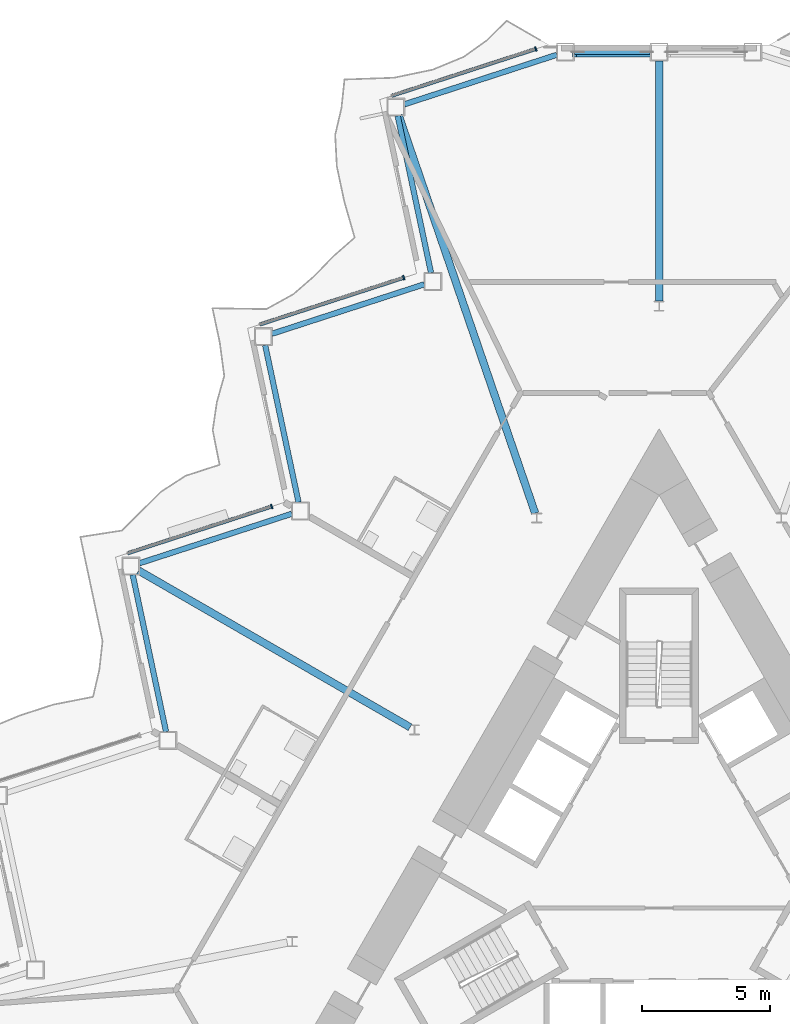
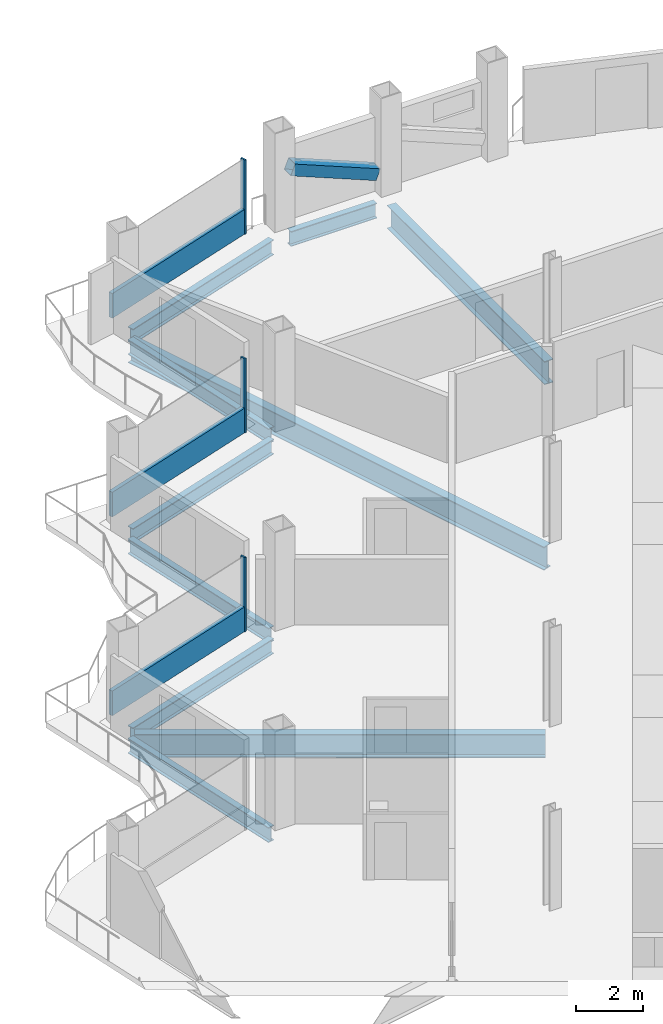
# One storey, part 8 of 24: 10 beams, 7 members, 3 elements without a shape of their own.
"""IFC4 building model written with IfcOpenShell, lengths in metres."""

from ifc_helpers import new_model, si_unit, direction, frame, origin, origin_2d, place, context, subcontext, project, spatial, rectangle, hollow_rectangle, i_section, extrude, material, layer, layer_set, material_profile, profile_set, type_object, element, aggregate, save


model = new_model("IFC4")

# Units and contexts
model_context = context("Model", 3, precision=1e-05, world=origin(), true_north=direction((0.0, 1.0)))
body_context = subcontext(model_context, "Body", "Model", "MODEL_VIEW")
ifc_project = project(units=[si_unit("LENGTHUNIT", "METRE"), si_unit("AREAUNIT", "SQUARE_METRE"), si_unit("VOLUMEUNIT", "CUBIC_METRE"), si_unit("PLANEANGLEUNIT", "RADIAN"), si_unit("MASSUNIT", "GRAM", prefix="KILO")], contexts=[model_context])

# Site, building, storey
site_placement = place(None, origin())
site = spatial("IfcSite", under=ifc_project, at=site_placement, CompositionType="ELEMENT")
building_placement = place(site_placement, origin())
building = spatial("IfcBuilding", under=site, at=building_placement, Name="Cormorant Prow Tower", CompositionType="ELEMENT")
storey_placement = place(building_placement, frame((0.0, 0.0, 238.199951171875)))
storey = spatial("IfcBuildingStorey", under=building, at=storey_placement, Name="L52", CompositionType="ELEMENT", Elevation=238.199951171875)

# Member
ifc_material_1 = material(Name="Structural steel ASTM A500 Gr C", Category="steel")
ifc_material_profile_1 = material_profile(ifc_material_1, hollow_rectangle(XDim=0.406494140625, YDim=0.406494140625, WallThickness=0.01171875, at=origin_2d()), Name="HSS16x16x1/2")
ifc_profile_set_1 = profile_set([ifc_material_profile_1], Name="Structural steel ASTM A500 Gr C")
member_type_1 = type_object("IfcMemberType", Name="Chamfer brace HSS16x16x1/2", PredefinedType="BRACE", material=ifc_profile_set_1)
member_1_placement = place(storey_placement, frame((-0.36572265625, 32.073486328125, 0.74951171875), z_axis=(-0.925591042089, 0.0, 0.37852506232), x_axis=(0.0, -1.0, 0.0)))
element("IfcMember", 1, at=member_1_placement, inside=storey, type_object=member_type_1, Name="Chamfer brace BR2 at N01 L52", PredefinedType="BRACE", context=body_context, shape_type="SweptSolid", body=[
    extrude(hollow_rectangle(XDim=0.406494140625, YDim=0.406494140625, WallThickness=0.01171875, at=origin_2d()), origin(), (0.0, 0.0, 1.0), 3.17529296875),
])

# Curtain wall, member
ifc_material_2 = material(Name="Aluminium 6063-T6", Category="aluminium")
ifc_layer = layer(ifc_material_2, 0.179931640625)
ifc_layer_set = layer_set([ifc_layer], Name="Aluminium 6063-T6")
curtain_wall_type = type_object("IfcCurtainWallType", Name="Hotel unitised curtain wall 180", PredefinedType="NOTDEFINED", material=ifc_layer_set)
curtain_wall_1_placement = place(storey_placement, origin())
curtain_wall_1 = element("IfcCurtainWall", 2, at=curtain_wall_1_placement, inside=storey, type_object=curtain_wall_type, Name="Hotel curtain wall WNW00", PredefinedType="NOTDEFINED")
ifc_material_3 = material(Name="Aluminium 6063-T6", Category="aluminium")
ifc_material_profile_2 = material_profile(ifc_material_3, rectangle(XDim=0.179931640625, YDim=0.06005859375, at=origin_2d()), Name="Hotel mullion 60x180")
ifc_profile_set_2 = profile_set([ifc_material_profile_2], Name="Aluminium 6063-T6")
member_type_2 = type_object("IfcMemberType", Name="Hotel mullion 60x180", PredefinedType="MULLION", material=ifc_profile_set_2)
member_2_placement = place(storey_placement, frame((-4.828857421875, 32.1923828125, 0.0), z_axis=(0.0, 0.0, 1.0), x_axis=(0.309016951383, -0.951056530264, 0.0)))
member_2 = element("IfcMember", 3, at=member_2_placement, type_object=member_type_2, Name="Hotel mullion WNW00", PredefinedType="MULLION", context=body_context, shape_type="SweptSolid", body=[
    extrude(rectangle(XDim=0.179931640625, YDim=0.06005859375, at=origin_2d()), origin(), (0.0, 0.0, 1.0), 2.700927734375),
])

curtain_wall_2_placement = place(storey_placement, origin())
curtain_wall_2 = element("IfcCurtainWall", 4, at=curtain_wall_2_placement, inside=storey, type_object=curtain_wall_type, Name="Hotel curtain wall WNW02", PredefinedType="NOTDEFINED")
member_3_placement = place(storey_placement, frame((-10.0009765625, 23.234375, 0.0), z_axis=(0.0, 0.0, 1.0), x_axis=(0.309017039126, -0.951056501755, 0.0)))
member_3 = element("IfcMember", 5, at=member_3_placement, type_object=member_type_2, Name="Hotel mullion WNW02", PredefinedType="MULLION", context=body_context, shape_type="SweptSolid", body=[
    extrude(rectangle(XDim=0.179931640625, YDim=0.06005859375, at=origin_2d()), origin(), (0.0, 0.0, 1.0), 2.700927734375),
])

curtain_wall_3_placement = place(storey_placement, origin())
curtain_wall_3 = element("IfcCurtainWall", 6, at=curtain_wall_3_placement, inside=storey, type_object=curtain_wall_type, Name="Hotel curtain wall WNW04", PredefinedType="NOTDEFINED")
member_4_placement = place(storey_placement, frame((-15.1728515625, 14.2763671875, 0.0), z_axis=(0.0, 0.0, 1.0), x_axis=(0.309017039126, -0.951056501755, 0.0)))
member_4 = element("IfcMember", 7, at=member_4_placement, type_object=member_type_2, Name="Hotel mullion WNW04", PredefinedType="MULLION", context=body_context, shape_type="SweptSolid", body=[
    extrude(rectangle(XDim=0.179931640625, YDim=0.06005859375, at=origin_2d()), origin(), (0.0, 0.0, 1.0), 2.700927734375),
])

# Member
ifc_material_4 = material(Name="Terracotta", Category="masonry")
ifc_material_profile_3 = material_profile(ifc_material_4, rectangle(XDim=0.139892578125, YDim=0.89990234375, at=origin_2d()), Name="Hotel terracotta spandrel rail 140x900")
ifc_profile_set_3 = profile_set([ifc_material_profile_3], Name="Terracotta")
member_type_3 = type_object("IfcMemberType", Name="Hotel terracotta spandrel rail 140x900", PredefinedType="USERDEFINED", material=ifc_profile_set_3)
member_5_placement = place(storey_placement, frame((-4.857421875, 32.18310546875, 0.449951171875), z_axis=(-0.951052928419, -0.309028036504, 0.0), x_axis=(0.309028036504, -0.951052928419, 0.0)))
member_5 = element("IfcMember", 8, at=member_5_placement, type_object=member_type_3, Name="Hotel spandrel rail WNW00", ObjectType="TRANSOM", PredefinedType="USERDEFINED", context=body_context, shape_type="SweptSolid", body=[
    extrude(rectangle(XDim=0.139892578125, YDim=0.89990234375, at=origin_2d()), origin(), (0.0, 0.0, 1.0), 5.8974609375),
])

aggregate(curtain_wall_1, [member_2, member_5])

member_6_placement = place(storey_placement, frame((-10.029296875, 23.22509765625, 0.449951171875), z_axis=(-0.951052928419, -0.309028036504, 0.0), x_axis=(0.309028036504, -0.951052928419, 0.0)))
member_6 = element("IfcMember", 9, at=member_6_placement, type_object=member_type_3, Name="Hotel spandrel rail WNW02", ObjectType="TRANSOM", PredefinedType="USERDEFINED", context=body_context, shape_type="SweptSolid", body=[
    extrude(rectangle(XDim=0.139892578125, YDim=0.89990234375, at=origin_2d()), origin(), (0.0, 0.0, 1.0), 5.8974609375),
])

aggregate(curtain_wall_2, [member_3, member_6])

member_7_placement = place(storey_placement, frame((-15.201171875, 14.26708984375, 0.449951171875), z_axis=(-0.951052928419, -0.309028036504, 0.0), x_axis=(0.309028036504, -0.951052928419, 0.0)))
member_7 = element("IfcMember", 10, at=member_7_placement, type_object=member_type_3, Name="Hotel spandrel rail WNW04", ObjectType="TRANSOM", PredefinedType="USERDEFINED", context=body_context, shape_type="SweptSolid", body=[
    extrude(rectangle(XDim=0.139892578125, YDim=0.89990234375, at=origin_2d()), origin(), (0.0, 0.0, 1.0), 5.8974609375),
])

aggregate(curtain_wall_3, [member_4, member_7])

# Beams
ifc_material_5 = material(Name="Structural steel ASTM A992 Gr 50", Category="steel")
ifc_material_profile_4 = material_profile(ifc_material_5, i_section(OverallWidth=0.29296875, OverallDepth=0.845703125, WebThickness=0.015380859375, FlangeThickness=0.0244140625, at=origin_2d()), Name="W33x141")
ifc_profile_set_4 = profile_set([ifc_material_profile_4], Name="Structural steel ASTM A992 Gr 50")
beam_type_1 = type_object("IfcBeamType", Name="Radial floor beam W33x141", PredefinedType="BEAM", material=ifc_profile_set_4)
beam_1_placement = place(storey_placement, frame((0.0, 22.320068359375, -0.77294921875), z_axis=(0.0, 1.0, 0.0), x_axis=(-1.0, 0.0, 0.0)))
element("IfcBeam", 11, at=beam_1_placement, inside=storey, type_object=beam_type_1, Name="Radial floor beam FB2 1 L52", PredefinedType="BEAM", context=body_context, shape_type="SweptSolid", body=[
    extrude(i_section(OverallWidth=0.29296875, OverallDepth=0.845703125, WebThickness=0.015380859375, FlangeThickness=0.0244140625, at=origin_2d()), origin(), (0.0, 0.0, 1.0), 9.4033203125),
])
beam_2_placement = place(storey_placement, frame((-4.85400390625, 14.013916015625, -0.77294921875), z_axis=(-0.324535507117, 0.945873514071, 0.0), x_axis=(-0.945873514071, -0.324535507117, 0.0)))
element("IfcBeam", 12, at=beam_2_placement, inside=storey, type_object=beam_type_1, Name="Radial floor beam FB2 2 L52", PredefinedType="BEAM", context=body_context, shape_type="SweptSolid", body=[
    extrude(i_section(OverallWidth=0.29296875, OverallDepth=0.845703125, WebThickness=0.015380859375, FlangeThickness=0.0244140625, at=origin_2d()), origin(), (0.0, 0.0, 1.0), 16.462158203125),
])
beam_3_placement = place(storey_placement, frame((-9.751220703125, 5.6298828125, -0.77294921875), z_axis=(-0.866021995826, 0.500005902711, 0.0), x_axis=(-0.500005902711, -0.866021995826, 0.0)))
element("IfcBeam", 13, at=beam_3_placement, inside=storey, type_object=beam_type_1, Name="Radial floor beam FB2 3 L52", PredefinedType="BEAM", context=body_context, shape_type="SweptSolid", body=[
    extrude(i_section(OverallWidth=0.29296875, OverallDepth=0.845703125, WebThickness=0.015380859375, FlangeThickness=0.0244140625, at=origin_2d()), origin(), (0.0, 0.0, 1.0), 12.277099609375),
])
ifc_material_6 = material(Name="Structural steel ASTM A992 Gr 50", Category="steel")
ifc_material_profile_5 = material_profile(ifc_material_6, i_section(OverallWidth=0.2138671875, OverallDepth=0.549072265625, WebThickness=0.0146484375, FlangeThickness=0.023681640625, at=origin_2d()), Name="W21x93")
ifc_profile_set_5 = profile_set([ifc_material_profile_5], Name="Structural steel ASTM A992 Gr 50")
beam_type_2 = type_object("IfcBeamType", Name="Spandrel beam W21x93", PredefinedType="SPANDREL", material=ifc_profile_set_5)
beam_4_placement = place(storey_placement, frame((-0.35009765625, 32.073486328125, -0.62451171875), z_axis=(-1.0, 0.0, 0.0), x_axis=(0.0, -1.0, 0.0)))
element("IfcBeam", 14, at=beam_4_placement, inside=storey, type_object=beam_type_2, Name="Spandrel beam SB2 N01-WNW00 L52", PredefinedType="SPANDREL", context=body_context, shape_type="SweptSolid", body=[
    extrude(i_section(OverallWidth=0.2138671875, OverallDepth=0.549072265625, WebThickness=0.0146484375, FlangeThickness=0.023681640625, at=origin_2d()), origin(), (0.0, 0.0, 1.0), 2.97021484375),
])
for number, where, z_axis, x_axis, name in (
    (15, (-4.003173828125, 31.96533203125, -0.62451171875), (-0.951054060056, -0.309024553801, 0.0), (0.309024553801, -0.951054060056, 0.0), "Spandrel beam SB2 WNW00-WNW01 L52"),
    (16, (-10.2373046875, 29.57373046875, -0.62451171875), (0.207896407679, -0.97815084914, 0.0), (0.97815084914, 0.207896407679, 0.0), "Spandrel beam SB2 WNW01-WNW02 L52"),
):
    element("IfcBeam", number, at=place(storey_placement, frame(where, z_axis=z_axis, x_axis=x_axis)), inside=storey, type_object=beam_type_2, Name=name, PredefinedType="SPANDREL", context=body_context, shape_type="SweptSolid", body=[
        extrude(i_section(OverallWidth=0.2138671875, OverallDepth=0.549072265625, WebThickness=0.0146484375, FlangeThickness=0.023681640625, at=origin_2d()), origin(), (0.0, 0.0, 1.0), 6.281494140625),
    ])
beam_5_placement = place(storey_placement, frame((-9.191650390625, 22.97900390625, -0.62451171875), z_axis=(-0.951050348284, -0.309035976918, 0.0), x_axis=(0.309035976918, -0.951050348284, 0.0)))
element("IfcBeam", 17, at=beam_5_placement, inside=storey, type_object=beam_type_2, Name="Spandrel beam SB2 WNW02-WNW03 L52", PredefinedType="SPANDREL", context=body_context, shape_type="SweptSolid", body=[
    extrude(i_section(OverallWidth=0.2138671875, OverallDepth=0.549072265625, WebThickness=0.0146484375, FlangeThickness=0.023681640625, at=origin_2d()), origin(), (0.0, 0.0, 1.0), 6.28125),
])
beam_6_placement = place(storey_placement, frame((-15.42578125, 20.58740234375, -0.62451171875), z_axis=(0.207933593793, -0.978142944856, 0.0), x_axis=(0.978142944856, 0.207933593793, 0.0)))
element("IfcBeam", 18, at=beam_6_placement, inside=storey, type_object=beam_type_2, Name="Spandrel beam SB2 WNW03-WNW04 L52", PredefinedType="SPANDREL", context=body_context, shape_type="SweptSolid", body=[
    extrude(i_section(OverallWidth=0.2138671875, OverallDepth=0.549072265625, WebThickness=0.0146484375, FlangeThickness=0.023681640625, at=origin_2d()), origin(), (0.0, 0.0, 1.0), 6.281494140625),
])
beam_7_placement = place(storey_placement, frame((-14.3798828125, 13.99267578125, -0.62451171875), z_axis=(-0.951050348284, -0.309035976918, 0.0), x_axis=(0.309035976918, -0.951050348284, 0.0)))
element("IfcBeam", 19, at=beam_7_placement, inside=storey, type_object=beam_type_2, Name="Spandrel beam SB2 WNW04-WNW05 L52", PredefinedType="SPANDREL", context=body_context, shape_type="SweptSolid", body=[
    extrude(i_section(OverallWidth=0.2138671875, OverallDepth=0.549072265625, WebThickness=0.0146484375, FlangeThickness=0.023681640625, at=origin_2d()), origin(), (0.0, 0.0, 1.0), 6.28125),
])
beam_8_placement = place(storey_placement, frame((-20.614013671875, 11.60107421875, -0.62451171875), z_axis=(0.207933593793, -0.978142944856, 0.0), x_axis=(0.978142944856, 0.207933593793, 0.0)))
element("IfcBeam", 20, at=beam_8_placement, inside=storey, type_object=beam_type_2, Name="Spandrel beam SB2 WNW05-WNW06 L52", PredefinedType="SPANDREL", context=body_context, shape_type="SweptSolid", body=[
    extrude(i_section(OverallWidth=0.2138671875, OverallDepth=0.549072265625, WebThickness=0.0146484375, FlangeThickness=0.023681640625, at=origin_2d()), origin(), (0.0, 0.0, 1.0), 6.281494140625),
])

save(model, "model.ifc")
